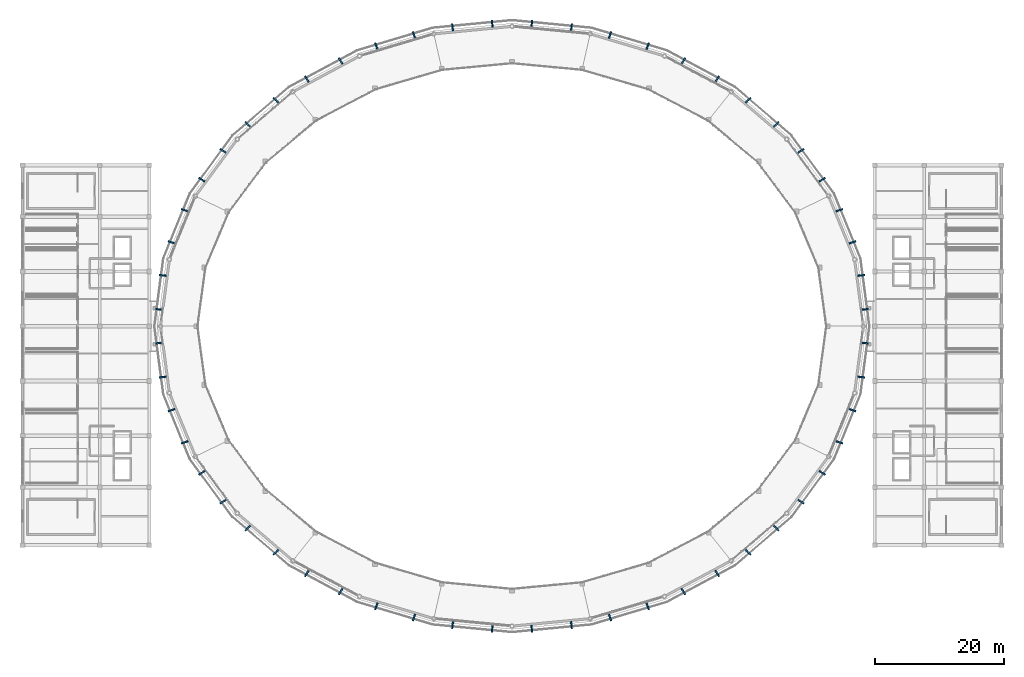
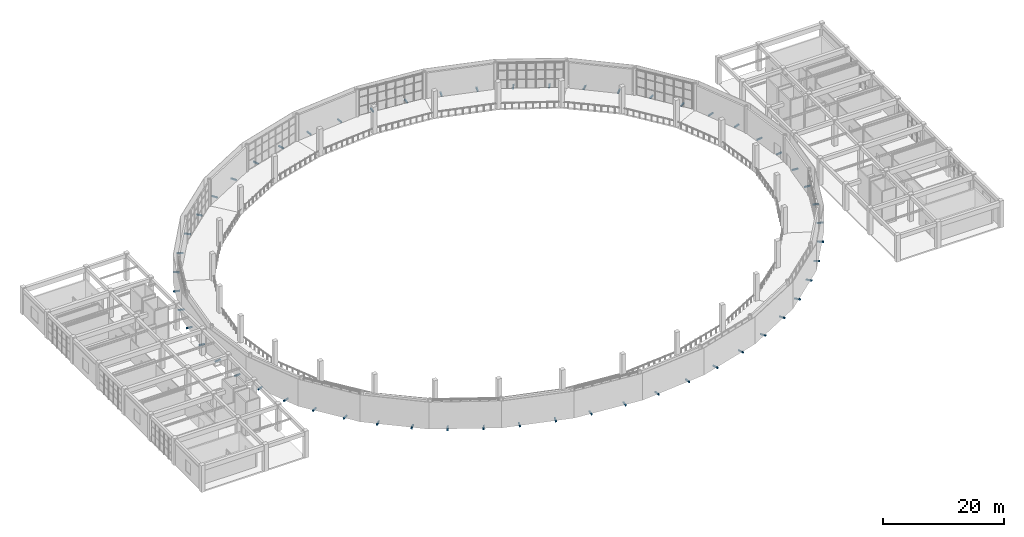
# One storey, part 36 of 40: 56 discrete accessories.
"""IFC4 building model written with IfcOpenShell, lengths in metres."""

from ifc_helpers import new_model, si_unit, direction, frame, origin, origin_2d, place, context, subcontext, project, spatial, rectangle, extrude, material, type_object, element, save


model = new_model("IFC4")

# Units and contexts
model_context = context("Model", 3, precision=1e-05, world=origin(), true_north=direction((0.0, 1.0)))
body_context = subcontext(model_context, "Body", "Model", "MODEL_VIEW")
ifc_project = project(units=[si_unit("LENGTHUNIT", "METRE"), si_unit("AREAUNIT", "SQUARE_METRE"), si_unit("VOLUMEUNIT", "CUBIC_METRE"), si_unit("PLANEANGLEUNIT", "RADIAN"), si_unit("MASSUNIT", "GRAM", prefix="KILO")], contexts=[model_context])

# Site, building, storey
site_placement = place(None, origin())
site = spatial("IfcSite", under=ifc_project, at=site_placement, CompositionType="ELEMENT")
building_placement = place(site_placement, origin())
building = spatial("IfcBuilding", under=site, at=building_placement, Name="Cuetzalor Civic Arena", CompositionType="ELEMENT")
storey_placement = place(building_placement, frame((0.0, 0.0, 26.39990234375)))
storey = spatial("IfcBuildingStorey", under=building, at=storey_placement, Name="L05", CompositionType="ELEMENT", Elevation=26.39990234375)

# Discrete accessories
ifc_material = material(Name="Steel S355", Category="steel")
discrete_accessory_type = type_object("IfcDiscreteAccessoryType", Name="ScreenOutriggerBracket_S355", PredefinedType="BRACKET", material=ifc_material)
for number, where, z_axis, x_axis, name in (
    (1, (54.235595703125, 7.8896484375, -0.27001953125), (0.0, 0.0, 1.0), (0.993709417943, 0.111989252568, 0.0), "Drum Screen Outrigger Bracket L05-0007"),
    (2, (54.928466796875, 2.6298828125, -0.27001953125), (0.0, 0.0, 1.0), (0.993709417943, 0.111989252568, 0.0), "Drum Screen Outrigger Bracket L05-0008"),
    (3, (50.822998046875, 18.013916015625, -0.27001953125), (0.0, 0.0, 1.0), (0.943858622852, 0.330349663339, 0.0), "Drum Screen Outrigger Bracket L05-0018"),
    (4, (52.8671875, 13.017578125, -0.27001953125), (0.0, 0.0, 1.0), (0.943858622852, 0.330349663339, 0.0), "Drum Screen Outrigger Bracket L05-0019"),
    (5, (44.862060546875, 27.234619140625, -0.27001953125), (0.0, 0.0, 1.0), (0.846657866138, 0.532137630417, 0.0), "Drum Screen Outrigger Bracket L05-0027"),
    (6, (48.15478515625, 22.752685546875, -0.27001953125), (0.0, 0.0, 1.0), (0.846657866138, 0.532137630417, 0.0), "Drum Screen Outrigger Bracket L05-0028"),
    (7, (36.651611328125, 35.089599609375, -0.27001953125), (0.0, 0.0, 1.0), (0.707106781187, 0.707106781187, 0.0), "Drum Screen Outrigger Bracket L05-0038"),
    (8, (41.027587890625, 31.346923828125, -0.27001953125), (0.0, 0.0, 1.0), (0.707106781187, 0.707106781187, 0.0), "Drum Screen Outrigger Bracket L05-0039"),
    (9, (26.60302734375, 41.185302734375, -0.27001953125), (0.0, 0.0, 1.0), (0.531989852639, 0.84675072878, 0.0), "Drum Screen Outrigger Bracket L05-0047"),
    (10, (31.84326171875, 38.369140625, -0.27001953125), (0.0, 0.0, 1.0), (0.531989852639, 0.84675072878, 0.0), "Drum Screen Outrigger Bracket L05-0048"),
    (11, (15.220703125, 45.215576171875, -0.27001953125), (0.0, 0.0, 1.0), (0.330184923902, 0.943916265369, 0.0), "Drum Screen Outrigger Bracket L05-0058"),
    (12, (21.06201171875, 43.46728515625, -0.27001953125), (0.0, 0.0, 1.0), (0.330184923902, 0.943916265369, 0.0), "Drum Screen Outrigger Bracket L05-0059"),
    (13, (3.074951171875, 46.978759765625, -0.27001953125), (0.0, 0.0, 1.0), (0.111989252568, 0.993709417943, 0.0), "Drum Screen Outrigger Bracket L05-0067"),
    (14, (9.224853515625, 46.385986328125, -0.27001953125), (0.0, 0.0, 1.0), (0.111989252568, 0.993709417943, 0.0), "Drum Screen Outrigger Bracket L05-0068"),
    (15, (-9.224853515625, 46.385986328125, -0.27001953125), (0.0, 0.0, 1.0), (-0.111989252568, 0.993709417943, 0.0), "Drum Screen Outrigger Bracket L05-0078"),
    (16, (-3.074951171875, 46.978759765625, -0.27001953125), (0.0, 0.0, 1.0), (-0.111989252568, 0.993709417943, 0.0), "Drum Screen Outrigger Bracket L05-0079"),
    (17, (-21.06201171875, 43.46728515625, -0.27001953125), (0.0, 0.0, 1.0), (-0.330184923902, 0.943916265369, 0.0), "Drum Screen Outrigger Bracket L05-0087"),
    (18, (-15.220703125, 45.215576171875, -0.27001953125), (0.0, 0.0, 1.0), (-0.330184923902, 0.943916265369, 0.0), "Drum Screen Outrigger Bracket L05-0088"),
    (19, (-31.84326171875, 38.369140625, -0.27001953125), (0.0, 0.0, 1.0), (-0.531989852639, 0.84675072878, 0.0), "Drum Screen Outrigger Bracket L05-0098"),
    (20, (-26.60302734375, 41.185302734375, -0.27001953125), (0.0, 0.0, 1.0), (-0.531989852639, 0.84675072878, 0.0), "Drum Screen Outrigger Bracket L05-0099"),
    (21, (-41.027587890625, 31.346923828125, -0.27001953125), (0.0, 0.0, 1.0), (-0.707106781187, 0.707106781187, 0.0), "Drum Screen Outrigger Bracket L05-0107"),
    (22, (-36.651611328125, 35.089599609375, -0.27001953125), (0.0, 0.0, 1.0), (-0.707106781187, 0.707106781187, 0.0), "Drum Screen Outrigger Bracket L05-0108"),
    (23, (-48.15478515625, 22.752685546875, -0.27001953125), (0.0, 0.0, 1.0), (-0.846657866138, 0.532137630417, 0.0), "Drum Screen Outrigger Bracket L05-0118"),
    (24, (-44.862060546875, 27.234619140625, -0.27001953125), (0.0, 0.0, 1.0), (-0.846657866138, 0.532137630417, 0.0), "Drum Screen Outrigger Bracket L05-0119"),
    (25, (-52.8671875, 13.017578125, -0.27001953125), (0.0, 0.0, 1.0), (-0.943858622852, 0.330349663339, 0.0), "Drum Screen Outrigger Bracket L05-0127"),
    (26, (-50.822998046875, 18.013916015625, -0.27001953125), (0.0, 0.0, 1.0), (-0.943858622852, 0.330349663339, 0.0), "Drum Screen Outrigger Bracket L05-0128"),
    (27, (-54.928466796875, 2.6298828125, -0.27001953125), (0.0, 0.0, 1.0), (-0.993709417943, 0.111989252568, 0.0), "Drum Screen Outrigger Bracket L05-0138"),
    (28, (-54.235595703125, 7.8896484375, -0.27001953125), (0.0, 0.0, 1.0), (-0.993709417943, 0.111989252568, 0.0), "Drum Screen Outrigger Bracket L05-0139"),
    (29, (-54.235595703125, -7.8896484375, -0.27001953125), (0.0, 0.0, 1.0), (-0.993709417943, -0.111989252568, 0.0), "Drum Screen Outrigger Bracket L05-0147"),
    (30, (-54.928466796875, -2.6298828125, -0.27001953125), (0.0, 0.0, 1.0), (-0.993709417943, -0.111989252568, 0.0), "Drum Screen Outrigger Bracket L05-0148"),
    (31, (-50.822998046875, -18.013916015625, -0.27001953125), (0.0, 0.0, 1.0), (-0.943858622852, -0.330349663339, 0.0), "Drum Screen Outrigger Bracket L05-0158"),
    (32, (-52.8671875, -13.017578125, -0.27001953125), (0.0, 0.0, 1.0), (-0.943858622852, -0.330349663339, 0.0), "Drum Screen Outrigger Bracket L05-0159"),
    (33, (-44.862060546875, -27.234619140625, -0.27001953125), (0.0, 0.0, 1.0), (-0.846657866138, -0.532137630417, 0.0), "Drum Screen Outrigger Bracket L05-0167"),
    (34, (-48.15478515625, -22.752685546875, -0.27001953125), (0.0, 0.0, 1.0), (-0.846657866138, -0.532137630417, 0.0), "Drum Screen Outrigger Bracket L05-0168"),
    (35, (-36.651611328125, -35.089599609375, -0.27001953125), (0.0, 0.0, 1.0), (-0.707106781187, -0.707106781187, 0.0), "Drum Screen Outrigger Bracket L05-0178"),
    (36, (-41.027587890625, -31.346923828125, -0.27001953125), (0.0, 0.0, 1.0), (-0.707106781187, -0.707106781187, 0.0), "Drum Screen Outrigger Bracket L05-0179"),
    (37, (-26.60302734375, -41.185302734375, -0.27001953125), (0.0, 0.0, 1.0), (-0.531989852639, -0.84675072878, 0.0), "Drum Screen Outrigger Bracket L05-0187"),
    (38, (-31.84326171875, -38.369140625, -0.27001953125), (0.0, 0.0, 1.0), (-0.531989852639, -0.84675072878, 0.0), "Drum Screen Outrigger Bracket L05-0188"),
    (39, (-15.220703125, -45.215576171875, -0.27001953125), (0.0, 0.0, 1.0), (-0.330184923902, -0.943916265369, 0.0), "Drum Screen Outrigger Bracket L05-0198"),
    (40, (-21.06201171875, -43.46728515625, -0.27001953125), (0.0, 0.0, 1.0), (-0.330184923902, -0.943916265369, 0.0), "Drum Screen Outrigger Bracket L05-0199"),
    (41, (-3.074951171875, -46.978759765625, -0.27001953125), (0.0, 0.0, 1.0), (-0.111989252568, -0.993709417943, 0.0), "Drum Screen Outrigger Bracket L05-0207"),
    (42, (-9.224853515625, -46.385986328125, -0.27001953125), (0.0, 0.0, 1.0), (-0.111989252568, -0.993709417943, 0.0), "Drum Screen Outrigger Bracket L05-0208"),
    (43, (9.224853515625, -46.385986328125, -0.27001953125), (0.0, 0.0, 1.0), (0.111989252568, -0.993709417943, 0.0), "Drum Screen Outrigger Bracket L05-0218"),
    (44, (3.074951171875, -46.978759765625, -0.27001953125), (0.0, 0.0, 1.0), (0.111989252568, -0.993709417943, 0.0), "Drum Screen Outrigger Bracket L05-0219"),
    (45, (21.06201171875, -43.46728515625, -0.27001953125), (0.0, 0.0, 1.0), (0.330184923902, -0.943916265369, 0.0), "Drum Screen Outrigger Bracket L05-0227"),
    (46, (15.220703125, -45.215576171875, -0.27001953125), (0.0, 0.0, 1.0), (0.330184923902, -0.943916265369, 0.0), "Drum Screen Outrigger Bracket L05-0228"),
    (47, (31.84326171875, -38.369140625, -0.27001953125), (0.0, 0.0, 1.0), (0.531989852639, -0.84675072878, 0.0), "Drum Screen Outrigger Bracket L05-0238"),
    (48, (26.60302734375, -41.185302734375, -0.27001953125), (0.0, 0.0, 1.0), (0.531989852639, -0.84675072878, 0.0), "Drum Screen Outrigger Bracket L05-0239"),
    (49, (41.027587890625, -31.346923828125, -0.27001953125), (0.0, 0.0, 1.0), (0.707106781187, -0.707106781187, 0.0), "Drum Screen Outrigger Bracket L05-0247"),
    (50, (36.651611328125, -35.089599609375, -0.27001953125), (0.0, 0.0, 1.0), (0.707106781187, -0.707106781187, 0.0), "Drum Screen Outrigger Bracket L05-0248"),
    (51, (48.15478515625, -22.752685546875, -0.27001953125), (0.0, 0.0, 1.0), (0.846657866138, -0.532137630417, 0.0), "Drum Screen Outrigger Bracket L05-0258"),
    (52, (44.862060546875, -27.234619140625, -0.27001953125), (0.0, 0.0, 1.0), (0.846657866138, -0.532137630417, 0.0), "Drum Screen Outrigger Bracket L05-0259"),
    (53, (52.8671875, -13.017578125, -0.27001953125), (0.0, 0.0, 1.0), (0.943858622852, -0.330349663339, 0.0), "Drum Screen Outrigger Bracket L05-0267"),
    (54, (50.822998046875, -18.013916015625, -0.27001953125), (0.0, 0.0, 1.0), (0.943858622852, -0.330349663339, 0.0), "Drum Screen Outrigger Bracket L05-0268"),
    (55, (54.928466796875, -2.6298828125, -0.27001953125), (0.0, 0.0, 1.0), (0.993709417943, -0.111989252568, 0.0), "Drum Screen Outrigger Bracket L05-0278"),
    (56, (54.235595703125, -7.8896484375, -0.27001953125), (0.0, 0.0, 1.0), (0.993709417943, -0.111989252568, 0.0), "Drum Screen Outrigger Bracket L05-0279"),
):
    element("IfcDiscreteAccessory", number, at=place(storey_placement, frame(where, z_axis=z_axis, x_axis=x_axis)), inside=storey, type_object=discrete_accessory_type, Name=name, PredefinedType="BRACKET", context=body_context, shape_type="SweptSolid", body=[
        extrude(rectangle(XDim=1.10009765625, YDim=0.239990234375, at=origin_2d()), origin(), (0.0, 0.0, 1.0), 0.260009765625),
    ])

save(model, "model.ifc")
